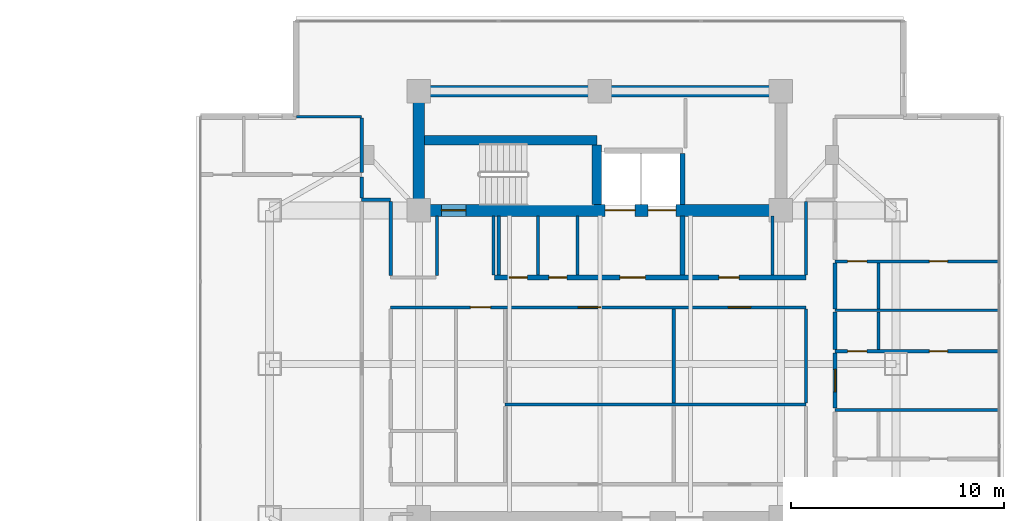
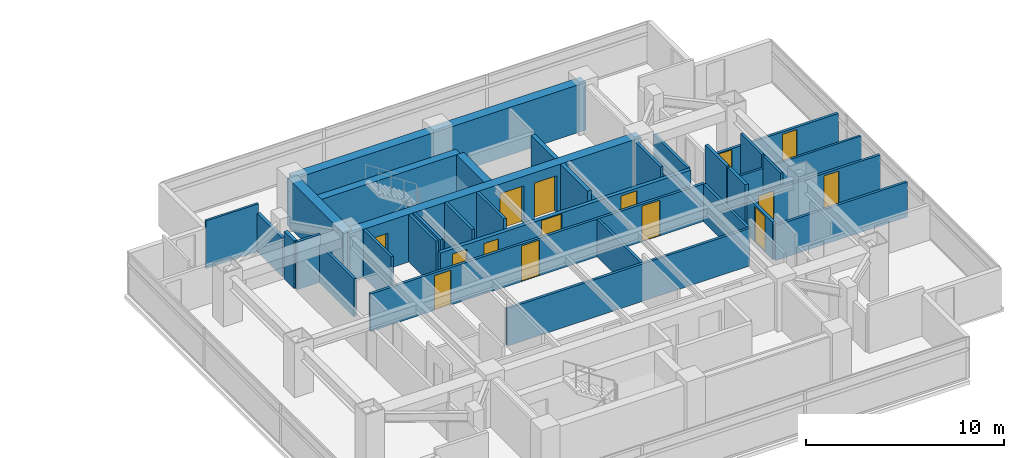
# One storey, part 18 of 24: 33 walls, 15 doors, 15 openings.
"""IFC4 building model written with IfcOpenShell, lengths in metres."""

from ifc_helpers import new_model, si_unit, direction, frame, frame_2d, origin, place, context, subcontext, project, spatial, rectangle, extrude, material, layer, layer_set, type_object, element, fill, save


model = new_model("IFC4")

# Units and contexts
model_context = context("Model", 3, precision=1e-05, world=origin(), true_north=direction((0.0, 1.0)))
body_context = subcontext(model_context, "Body", "Model", "MODEL_VIEW")
ifc_project = project(units=[si_unit("LENGTHUNIT", "METRE"), si_unit("AREAUNIT", "SQUARE_METRE"), si_unit("VOLUMEUNIT", "CUBIC_METRE"), si_unit("PLANEANGLEUNIT", "RADIAN"), si_unit("MASSUNIT", "GRAM", prefix="KILO")], contexts=[model_context])

# Site, building, storey
site_placement = place(None, origin())
site = spatial("IfcSite", under=ifc_project, at=site_placement, CompositionType="ELEMENT")
building_placement = place(site_placement, origin())
building = spatial("IfcBuilding", under=site, at=building_placement, Name="Mirazonda Arch Towers", CompositionType="ELEMENT")
storey_placement = place(building_placement, frame((0.0, 0.0, 144.5)))
storey = spatial("IfcBuildingStorey", under=building, at=storey_placement, Name="L41", CompositionType="ELEMENT", Elevation=144.5)

# Walls
ifc_material_1 = material(Name="Concrete C50/60", Category="concrete")
ifc_layer_1 = layer(ifc_material_1, 0.449951171875, Name="WALL-CORE-450")
ifc_layer_set_1 = layer_set([ifc_layer_1], Name="Concrete C50/60")
wall_type_1 = type_object("IfcWallType", Name="WALL-CORE-450", PredefinedType="SHEAR", material=ifc_layer_set_1)
wall_1_placement = place(storey_placement, frame((68.27001953125, 38.5, 0.0), z_axis=(0.0, 0.0, 1.0), x_axis=(1.0, 0.0, 0.0)))
element("IfcWall", 1, at=wall_1_placement, inside=storey, type_object=wall_type_1, Name="L41 Stair Core Shear Wall 055", PredefinedType="SHEAR", context=body_context, shape_type="SweptSolid", body=[
    extrude(rectangle(XDim=8.090087890625, YDim=0.449951171875, at=frame_2d((4.044921875, 0.0))), origin(), (0.0, 0.0, 1.0), 2.93994140625),
])
wall_2_placement = place(storey_placement, frame((76.360107421875, 35.469970703125, 0.0), z_axis=(0.0, 0.0, 1.0), x_axis=(0.0, 1.0, 0.0)))
element("IfcWall", 2, at=wall_2_placement, inside=storey, type_object=wall_type_1, Name="L41 Stair Core Shear Wall 142", PredefinedType="SHEAR", context=body_context, shape_type="SweptSolid", body=[
    extrude(rectangle(XDim=2.794921875, YDim=0.449951171875, at=frame_2d((1.3974609375, 0.0))), origin(), (0.0, 0.0, 1.0), 2.93994140625),
])
ifc_layer_2 = layer(ifc_material_1, 0.550048828125, Name="WALL-CORE-550")
ifc_layer_set_2 = layer_set([ifc_layer_2], Name="Concrete C50/60")
wall_type_2 = type_object("IfcWallType", Name="WALL-CORE-550", PredefinedType="SHEAR", material=ifc_layer_set_2)
wall_3_placement = place(storey_placement, frame((68.0, 40.800048828125, 0.0), z_axis=(0.0, 0.0, 1.0), x_axis=(1.0, 0.0, 0.0)))
element("IfcWall", 3, at=wall_3_placement, inside=storey, type_object=wall_type_2, Name="L41 T2N-N Core Shear Wall", PredefinedType="SHEAR", context=body_context, shape_type="SweptSolid", body=[
    extrude(rectangle(XDim=17.0, YDim=0.550048828125, at=frame_2d((8.5, 0.0))), origin(), (0.0, 0.0, 1.0), 2.93994140625),
])
wall_4_placement = place(storey_placement, frame((68.0, 35.199951171875, 0.0), z_axis=(0.0, 0.0, 1.0), x_axis=(0.0, 1.0, 0.0)))
element("IfcWall", 4, at=wall_4_placement, inside=storey, type_object=wall_type_2, Name="L41 T2N-W Core Shear Wall", PredefinedType="SHEAR", context=body_context, shape_type="SweptSolid", body=[
    extrude(rectangle(XDim=5.60009765625, YDim=0.550048828125, at=frame_2d((2.800048828125, 0.0))), origin(), (0.0, 0.0, 1.0), 2.93994140625),
])

# Wall, openings, doors
wall_5_placement = place(storey_placement, frame((68.0, 35.199951171875, 0.0), z_axis=(0.0, 0.0, 1.0), x_axis=(1.0, 0.0, 0.0)))
wall_5 = element("IfcWall", 5, at=wall_5_placement, inside=storey, type_object=wall_type_2, Name="L41 T2N-S Core Shear Wall", PredefinedType="SHEAR", context=body_context, shape_type="SweptSolid", body=[
    extrude(rectangle(XDim=17.0, YDim=0.550048828125, at=frame_2d((8.5, 0.0))), origin(), (0.0, 0.0, 1.0), 2.93994140625),
])
opening_1_placement = place(wall_5_placement, frame((1.06005859375, 0.0, 0.0)))
opening_1 = element("IfcOpeningElement", 6, at=opening_1_placement, cuts=wall_5, Name="Opening DR-135", PredefinedType="OPENING", context=body_context, shape_type="SweptSolid", body=[
    extrude(rectangle(XDim=1.14990234375, YDim=2.199951171875, at=frame_2d((0.574951171875, 1.10009765625))), frame((0.0, 0.284912109375, 0.0), z_axis=(0.0, -1.0, 0.0), x_axis=(1.0, 0.0, 0.0)), (0.0, 0.0, 1.0), 0.570068359375),
])
opening_2_placement = place(wall_5_placement, frame((8.75, 0.0, 0.0)))
opening_2 = element("IfcOpeningElement", 7, at=opening_2_placement, cuts=wall_5, Name="Opening LD-112", PredefinedType="OPENING", context=body_context, shape_type="SweptSolid", body=[
    extrude(rectangle(XDim=1.39990234375, YDim=2.35009765625, at=frame_2d((0.699951171875, 1.175048828125))), frame((0.0, 0.284912109375, 0.0), z_axis=(0.0, -1.0, 0.0), x_axis=(1.0, 0.0, 0.0)), (0.0, 0.0, 1.0), 0.570068359375),
])
opening_3_placement = place(wall_5_placement, frame((10.77001953125, 0.0, 0.0)))
opening_3 = element("IfcOpeningElement", 8, at=opening_3_placement, cuts=wall_5, Name="Opening LD-111", PredefinedType="OPENING", context=body_context, shape_type="SweptSolid", body=[
    extrude(rectangle(XDim=1.300048828125, YDim=2.300048828125, at=frame_2d((0.64990234375, 1.14990234375))), frame((0.0, 0.284912109375, 0.0), z_axis=(0.0, -1.0, 0.0), x_axis=(1.0, 0.0, 0.0)), (0.0, 0.0, 1.0), 0.570068359375),
])
ifc_material_2 = material(Name="Architectural Brushed Steel S355", Category="steel")
door_type_1 = type_object("IfcDoorType", Name="DOOR-LIFT-FFL-1400", OperationType="NOTDEFINED", PredefinedType="DOOR", material=ifc_material_2)
door_1_placement = place(opening_2_placement, origin())
door_1 = element("IfcDoor", 9, at=door_1_placement, inside=storey, type_object=door_type_1, Name="L41 Lift Landing Sliding Door FFL-T2", OperationType="DOUBLE_DOOR_SLIDING", OverallHeight=2.35009765625, OverallWidth=1.39990234375, PredefinedType="DOOR", context=body_context, shape_type="SweptSolid", body=[
    extrude(rectangle(XDim=1.39990234375, YDim=2.35009765625, at=frame_2d((0.699951171875, 1.175048828125))), frame((0.0, 0.02490234375, 0.0), z_axis=(0.0, -1.0, 0.0), x_axis=(1.0, 0.0, 0.0)), (0.0, 0.0, 1.0), 0.050048828125),
])
fill(opening_2, door_1)
door_type_2 = type_object("IfcDoorType", Name="DOOR-LIFT-LAND-1300", OperationType="NOTDEFINED", PredefinedType="DOOR", material=ifc_material_2)
door_2_placement = place(opening_3_placement, origin())
door_2 = element("IfcDoor", 10, at=door_2_placement, inside=storey, type_object=door_type_2, Name="L41 Lift Landing Sliding Door SVL-T2", OperationType="DOUBLE_DOOR_SLIDING", OverallHeight=2.300048828125, OverallWidth=1.300048828125, PredefinedType="DOOR", context=body_context, shape_type="SweptSolid", body=[
    extrude(rectangle(XDim=1.300048828125, YDim=2.300048828125, at=frame_2d((0.64990234375, 1.14990234375))), frame((0.0, 0.02490234375, 0.0), z_axis=(0.0, -1.0, 0.0), x_axis=(1.0, 0.0, 0.0)), (0.0, 0.0, 1.0), 0.050048828125),
])
fill(opening_3, door_2)
door_type_3 = type_object("IfcDoorType", Name="DOOR-STAIR-FD90-1150", OperationType="NOTDEFINED", PredefinedType="DOOR", material=ifc_material_2)
door_3_placement = place(opening_1_placement, origin())
door_3 = element("IfcDoor", 11, at=door_3_placement, inside=storey, type_object=door_type_3, Name="L41 East Protected Stair North Door", OperationType="SINGLE_SWING_LEFT", OverallHeight=2.199951171875, OverallWidth=1.14990234375, PredefinedType="DOOR", context=body_context, shape_type="SweptSolid", body=[
    extrude(rectangle(XDim=1.14990234375, YDim=2.199951171875, at=frame_2d((0.574951171875, 1.10009765625))), frame((0.0, 0.02490234375, 0.0), z_axis=(0.0, -1.0, 0.0), x_axis=(1.0, 0.0, 0.0)), (0.0, 0.0, 1.0), 0.050048828125),
])
fill(opening_1, door_3)

ifc_material_3 = material(Name="Concrete C40/50", Category="concrete")
ifc_layer_3 = layer(ifc_material_3, 0.219970703125, Name="WALL-FFL-220")
ifc_layer_set_3 = layer_set([ifc_layer_3], Name="Concrete C40/50")
wall_type_3 = type_object("IfcWallType", Name="WALL-FFL-220", PredefinedType="SOLIDWALL", material=ifc_layer_set_3)
wall_6_placement = place(storey_placement, frame((71.550048828125, 32.050048828125, 0.0), z_axis=(0.0, 0.0, 1.0), x_axis=(1.0, 0.0, 0.0)))
wall_6 = element("IfcWall", 12, at=wall_6_placement, inside=storey, type_object=wall_type_3, Name="L41 Interior Partition 043", PredefinedType="SOLIDWALL", context=body_context, shape_type="SweptSolid", body=[
    extrude(rectangle(XDim=14.6298828125, YDim=0.219970703125, at=frame_2d((7.31494140625, 0.0))), origin(), (0.0, 0.0, 1.0), 2.31591796875),
])
opening_4_placement = place(wall_6_placement, frame((5.889892578125, 0.0, 0.0)))
opening_4 = element("IfcOpeningElement", 13, at=opening_4_placement, cuts=wall_6, Name="Opening DR-117", PredefinedType="OPENING", context=body_context, shape_type="SweptSolid", body=[
    extrude(rectangle(XDim=1.199951171875, YDim=2.25, at=frame_2d((0.60009765625, 1.125))), frame((0.0, 0.119873046875, 0.0), z_axis=(0.0, -1.0, 0.0), x_axis=(1.0, 0.0, 0.0)), (0.0, 0.0, 1.0), 0.239990234375),
])
opening_5_placement = place(wall_6_placement, frame((10.534912109375, 0.0, 0.0)))
opening_5 = element("IfcOpeningElement", 14, at=opening_5_placement, cuts=wall_6, Name="Opening DR-104", PredefinedType="OPENING", context=body_context, shape_type="SweptSolid", body=[
    extrude(rectangle(XDim=0.949951171875, YDim=2.14990234375, at=frame_2d((0.47509765625, 1.074951171875))), frame((0.0, 0.119873046875, 0.0), z_axis=(0.0, -1.0, 0.0), x_axis=(1.0, 0.0, 0.0)), (0.0, 0.0, 1.0), 0.239990234375),
])
opening_6_placement = place(wall_6_placement, frame((0.699951171875, 0.0, 0.0)))
opening_6 = element("IfcOpeningElement", 15, at=opening_6_placement, cuts=wall_6, Name="Opening DR-128", PredefinedType="OPENING", context=body_context, shape_type="SweptSolid", body=[
    extrude(rectangle(XDim=0.85009765625, YDim=2.010009765625, at=frame_2d((0.425048828125, 1.0048828125))), frame((0.0, 0.119873046875, 0.0), z_axis=(0.0, -1.0, 0.0), x_axis=(1.0, 0.0, 0.0)), (0.0, 0.0, 1.0), 0.239990234375),
])
opening_7_placement = place(wall_6_placement, frame((2.550048828125, 0.0, 0.0)))
opening_7 = element("IfcOpeningElement", 16, at=opening_7_placement, cuts=wall_6, Name="Opening DR-128", PredefinedType="OPENING", context=body_context, shape_type="SweptSolid", body=[
    extrude(rectangle(XDim=0.85009765625, YDim=2.010009765625, at=frame_2d((0.425048828125, 1.0048828125))), frame((0.0, 0.119873046875, 0.0), z_axis=(0.0, -1.0, 0.0), x_axis=(1.0, 0.0, 0.0)), (0.0, 0.0, 1.0), 0.239990234375),
])
door_type_4 = type_object("IfcDoorType", Name="DOOR-FFL-FD90-1200", OperationType="NOTDEFINED", PredefinedType="DOOR", material=ifc_material_2)
door_4_placement = place(opening_4_placement, origin())
door_4 = element("IfcDoor", 17, at=door_4_placement, inside=storey, type_object=door_type_4, Name="L41 East Firefighting Lift Lobby Door", OperationType="SINGLE_SWING_RIGHT", OverallHeight=2.25, OverallWidth=1.199951171875, PredefinedType="DOOR", context=body_context, shape_type="SweptSolid", body=[
    extrude(rectangle(XDim=1.199951171875, YDim=2.25, at=frame_2d((0.60009765625, 1.125))), frame((0.0, 0.02490234375, 0.0), z_axis=(0.0, -1.0, 0.0), x_axis=(1.0, 0.0, 0.0)), (0.0, 0.0, 1.0), 0.050048828125),
])
fill(opening_4, door_4)
door_type_5 = type_object("IfcDoorType", Name="DOOR-RISER-FD60-850", OperationType="NOTDEFINED", PredefinedType="DOOR", material=ifc_material_2)
door_5_placement = place(opening_6_placement, origin())
door_5 = element("IfcDoor", 18, at=door_5_placement, inside=storey, type_object=door_type_5, Name="L41 Tower 2 Electrical Room Door", OperationType="SINGLE_SWING_RIGHT", OverallHeight=2.010009765625, OverallWidth=0.85009765625, PredefinedType="DOOR", context=body_context, shape_type="SweptSolid", body=[
    extrude(rectangle(XDim=0.85009765625, YDim=2.010009765625, at=frame_2d((0.425048828125, 1.0048828125))), frame((0.0, 0.02490234375, 0.0), z_axis=(0.0, -1.0, 0.0), x_axis=(1.0, 0.0, 0.0)), (0.0, 0.0, 1.0), 0.050048828125),
])
fill(opening_6, door_5)
door_6_placement = place(opening_7_placement, origin())
door_6 = element("IfcDoor", 19, at=door_6_placement, inside=storey, type_object=door_type_5, Name="L41 Tower 2 Cleaners Store Door", OperationType="SINGLE_SWING_LEFT", OverallHeight=2.010009765625, OverallWidth=0.85009765625, PredefinedType="DOOR", context=body_context, shape_type="SweptSolid", body=[
    extrude(rectangle(XDim=0.85009765625, YDim=2.010009765625, at=frame_2d((0.425048828125, 1.0048828125))), frame((0.0, 0.02490234375, 0.0), z_axis=(0.0, -1.0, 0.0), x_axis=(1.0, 0.0, 0.0)), (0.0, 0.0, 1.0), 0.050048828125),
])
fill(opening_7, door_6)
door_type_6 = type_object("IfcDoorType", Name="DOOR-ROOM-950", OperationType="NOTDEFINED", PredefinedType="DOOR", material=ifc_material_2)
door_7_placement = place(opening_5_placement, origin())
door_7 = element("IfcDoor", 20, at=door_7_placement, inside=storey, type_object=door_type_6, Name="L41 East Sky Reading Library Door", OperationType="SINGLE_SWING_LEFT", OverallHeight=2.14990234375, OverallWidth=0.949951171875, PredefinedType="DOOR", context=body_context, shape_type="SweptSolid", body=[
    extrude(rectangle(XDim=0.949951171875, YDim=2.14990234375, at=frame_2d((0.47509765625, 1.074951171875))), frame((0.0, 0.02490234375, 0.0), z_axis=(0.0, -1.0, 0.0), x_axis=(1.0, 0.0, 0.0)), (0.0, 0.0, 1.0), 0.050048828125),
])
fill(opening_5, door_7)

# Walls
wall_7_placement = place(storey_placement, frame((80.3798828125, 32.169921875, 0.0), z_axis=(0.0, 0.0, 1.0), x_axis=(0.0, 1.0, 0.0)))
element("IfcWall", 21, at=wall_7_placement, inside=storey, type_object=wall_type_3, Name="L41 Interior Partition 146", PredefinedType="SOLIDWALL", context=body_context, shape_type="SweptSolid", body=[
    extrude(rectangle(XDim=2.760009765625, YDim=0.219970703125, at=frame_2d((1.3798828125, 0.0))), origin(), (0.0, 0.0, 1.0), 2.93994140625),
])
ifc_material_4 = material(Name="Fire-Rated Gypsum Stud Partition")
ifc_layer_4 = layer(ifc_material_4, 0.14990234375, Name="WALL-PART-CORR-150")
ifc_layer_set_4 = layer_set([ifc_layer_4], Name="Fire-Rated Gypsum Stud Partition")
wall_type_4 = type_object("IfcWallType", Name="WALL-PART-CORR-150", PredefinedType="PARTITIONING", material=ifc_layer_set_4)
wall_8_placement = place(storey_placement, frame((87.5400390625, 25.833984375, 0.0), z_axis=(0.0, 0.0, 1.0), x_axis=(1.0, 0.0, 0.0)))
element("IfcWall", 22, at=wall_8_placement, inside=storey, type_object=wall_type_4, Name="L41 Interior Partition 031", PredefinedType="PARTITIONING", context=body_context, shape_type="SweptSolid", body=[
    extrude(rectangle(XDim=7.708984375, YDim=0.14990234375, at=frame_2d((3.8544921875, 0.0))), origin(), (0.0, 0.0, 1.0), 2.158935546875),
])
wall_9_placement = place(storey_placement, frame((72.050048828125, 26.0849609375, 0.0), z_axis=(0.0, 0.0, 1.0), x_axis=(1.0, 0.0, 0.0)))
element("IfcWall", 23, at=wall_9_placement, inside=storey, type_object=wall_type_4, Name="L41 Interior Partition 032", PredefinedType="PARTITIONING", context=body_context, shape_type="SweptSolid", body=[
    extrude(rectangle(XDim=14.1298828125, YDim=0.14990234375, at=frame_2d((7.06494140625, 0.0))), origin(), (0.0, 0.0, 1.0), 2.31591796875),
])

# Wall, openings, doors
wall_10_placement = place(storey_placement, frame((87.5400390625, 28.587890625, 0.0), z_axis=(0.0, 0.0, 1.0), x_axis=(1.0, 0.0, 0.0)))
wall_10 = element("IfcWall", 24, at=wall_10_placement, inside=storey, type_object=wall_type_4, Name="L41 Interior Partition 037", PredefinedType="PARTITIONING", context=body_context, shape_type="SweptSolid", body=[
    extrude(rectangle(XDim=7.708984375, YDim=0.14990234375, at=frame_2d((3.8544921875, 0.0))), origin(), (0.0, 0.0, 1.0), 2.158935546875),
])
opening_8_placement = place(wall_10_placement, frame((4.429443359375, 0.0, 0.0)))
opening_8 = element("IfcOpeningElement", 25, at=opening_8_placement, cuts=wall_10, Name="Opening DR-128", PredefinedType="OPENING", context=body_context, shape_type="SweptSolid", body=[
    extrude(rectangle(XDim=0.85009765625, YDim=2.010009765625, at=frame_2d((0.425048828125, 1.0048828125))), frame((0.0, 0.0849609375, 0.0), z_axis=(0.0, -1.0, 0.0), x_axis=(1.0, 0.0, 0.0)), (0.0, 0.0, 1.0), 0.169921875),
])
opening_9_placement = place(wall_10_placement, frame((0.590087890625, 0.0, 0.0)))
opening_9 = element("IfcOpeningElement", 26, at=opening_9_placement, cuts=wall_10, Name="Opening DR-120", PredefinedType="OPENING", context=body_context, shape_type="SweptSolid", body=[
    extrude(rectangle(XDim=0.89990234375, YDim=2.10009765625, at=frame_2d((0.449951171875, 1.050048828125))), frame((0.0, 0.0849609375, 0.0), z_axis=(0.0, -1.0, 0.0), x_axis=(1.0, 0.0, 0.0)), (0.0, 0.0, 1.0), 0.169921875),
])
door_8_placement = place(opening_8_placement, origin())
door_8 = element("IfcDoor", 27, at=door_8_placement, inside=storey, type_object=door_type_5, Name="L41 Guestroom Study 2 Door", OperationType="SINGLE_SWING_LEFT", OverallHeight=2.010009765625, OverallWidth=0.85009765625, PredefinedType="DOOR", context=body_context, shape_type="SweptSolid", body=[
    extrude(rectangle(XDim=0.85009765625, YDim=2.010009765625, at=frame_2d((0.425048828125, 1.0048828125))), frame((0.0, 0.02490234375, 0.0), z_axis=(0.0, -1.0, 0.0), x_axis=(1.0, 0.0, 0.0)), (0.0, 0.0, 1.0), 0.050048828125),
])
fill(opening_8, door_8)
door_type_7 = type_object("IfcDoorType", Name="DOOR-WC-900", OperationType="NOTDEFINED", PredefinedType="DOOR", material=ifc_material_2)
door_9_placement = place(opening_9_placement, origin())
door_9 = element("IfcDoor", 28, at=door_9_placement, inside=storey, type_object=door_type_7, Name="L41 En-Suite Bathroom 2 Door", OperationType="SINGLE_SWING_RIGHT", OverallHeight=2.10009765625, OverallWidth=0.89990234375, PredefinedType="DOOR", context=body_context, shape_type="SweptSolid", body=[
    extrude(rectangle(XDim=0.89990234375, YDim=2.10009765625, at=frame_2d((0.449951171875, 1.050048828125))), frame((0.0, 0.02490234375, 0.0), z_axis=(0.0, -1.0, 0.0), x_axis=(1.0, 0.0, 0.0)), (0.0, 0.0, 1.0), 0.050048828125),
])
fill(opening_9, door_9)

wall_11_placement = place(storey_placement, frame((66.679931640625, 30.64990234375, 0.0), z_axis=(0.0, 0.0, 1.0), x_axis=(1.0, 0.0, 0.0)))
wall_11 = element("IfcWall", 29, at=wall_11_placement, inside=storey, type_object=wall_type_4, Name="L41 Interior Partition 039", PredefinedType="PARTITIONING", context=body_context, shape_type="SweptSolid", body=[
    extrude(rectangle(XDim=19.5, YDim=0.14990234375, at=frame_2d((9.75, 0.0))), origin(), (0.0, 0.0, 1.0), 2.31591796875),
])
opening_10_placement = place(wall_11_placement, frame((3.7451171875, 0.0, 0.0)))
opening_10 = element("IfcOpeningElement", 30, at=opening_10_placement, cuts=wall_11, Name="Opening DR-104", PredefinedType="OPENING", context=body_context, shape_type="SweptSolid", body=[
    extrude(rectangle(XDim=0.949951171875, YDim=2.14990234375, at=frame_2d((0.47509765625, 1.074951171875))), frame((0.0, 0.0849609375, 0.0), z_axis=(0.0, -1.0, 0.0), x_axis=(1.0, 0.0, 0.0)), (0.0, 0.0, 1.0), 0.169921875),
])
opening_11_placement = place(wall_11_placement, frame((8.801513671875, 0.0, 0.0)))
opening_11 = element("IfcOpeningElement", 31, at=opening_11_placement, cuts=wall_11, Name="Opening DR-121", PredefinedType="OPENING", context=body_context, shape_type="SweptSolid", body=[
    extrude(rectangle(XDim=1.050048828125, YDim=2.199951171875, at=frame_2d((0.52490234375, 1.10009765625))), frame((0.0, 0.0849609375, 0.0), z_axis=(0.0, -1.0, 0.0), x_axis=(1.0, 0.0, 0.0)), (0.0, 0.0, 1.0), 0.169921875),
])
opening_12_placement = place(wall_11_placement, frame((15.846435546875, 0.0, 0.0)))
opening_12 = element("IfcOpeningElement", 32, at=opening_12_placement, cuts=wall_11, Name="Opening DR-121", PredefinedType="OPENING", context=body_context, shape_type="SweptSolid", body=[
    extrude(rectangle(XDim=1.050048828125, YDim=2.199951171875, at=frame_2d((0.52490234375, 1.10009765625))), frame((0.0, 0.0849609375, 0.0), z_axis=(0.0, -1.0, 0.0), x_axis=(1.0, 0.0, 0.0)), (0.0, 0.0, 1.0), 0.169921875),
])
door_10_placement = place(opening_10_placement, origin())
door_10 = element("IfcDoor", 33, at=door_10_placement, inside=storey, type_object=door_type_6, Name="L41 L41 East Courtyard Study Door", OperationType="SINGLE_SWING_LEFT", OverallHeight=2.14990234375, OverallWidth=0.949951171875, PredefinedType="DOOR", context=body_context, shape_type="SweptSolid", body=[
    extrude(rectangle(XDim=0.949951171875, YDim=2.14990234375, at=frame_2d((0.47509765625, 1.074951171875))), frame((0.0, 0.02490234375, 0.0), z_axis=(0.0, -1.0, 0.0), x_axis=(1.0, 0.0, 0.0)), (0.0, 0.0, 1.0), 0.050048828125),
])
fill(opening_10, door_10)
door_type_8 = type_object("IfcDoorType", Name="DOOR-SUITE-FD60-1050", OperationType="NOTDEFINED", PredefinedType="DOOR", material=ifc_material_2)
door_11_placement = place(opening_11_placement, origin())
door_11 = element("IfcDoor", 34, at=door_11_placement, inside=storey, type_object=door_type_8, Name="L41 Concierge Salon Door", OperationType="SINGLE_SWING_RIGHT", OverallHeight=2.199951171875, OverallWidth=1.050048828125, PredefinedType="DOOR", context=body_context, shape_type="SweptSolid", body=[
    extrude(rectangle(XDim=1.050048828125, YDim=2.199951171875, at=frame_2d((0.52490234375, 1.10009765625))), frame((0.0, 0.02490234375, 0.0), z_axis=(0.0, -1.0, 0.0), x_axis=(1.0, 0.0, 0.0)), (0.0, 0.0, 1.0), 0.050048828125),
])
fill(opening_11, door_11)
door_12_placement = place(opening_12_placement, origin())
door_12 = element("IfcDoor", 35, at=door_12_placement, inside=storey, type_object=door_type_8, Name="L41 Private Meeting Suite Door", OperationType="SINGLE_SWING_LEFT", OverallHeight=2.199951171875, OverallWidth=1.050048828125, PredefinedType="DOOR", context=body_context, shape_type="SweptSolid", body=[
    extrude(rectangle(XDim=1.050048828125, YDim=2.199951171875, at=frame_2d((0.52490234375, 1.10009765625))), frame((0.0, 0.02490234375, 0.0), z_axis=(0.0, -1.0, 0.0), x_axis=(1.0, 0.0, 0.0)), (0.0, 0.0, 1.0), 0.050048828125),
])
fill(opening_12, door_12)

wall_12_placement = place(storey_placement, frame((87.5400390625, 32.80810546875, 0.0), z_axis=(0.0, 0.0, 1.0), x_axis=(1.0, 0.0, 0.0)))
wall_12 = element("IfcWall", 36, at=wall_12_placement, inside=storey, type_object=wall_type_4, Name="L41 Interior Partition 044", PredefinedType="PARTITIONING", context=body_context, shape_type="SweptSolid", body=[
    extrude(rectangle(XDim=7.708984375, YDim=0.14990234375, at=frame_2d((3.8544921875, 0.0))), origin(), (0.0, 0.0, 1.0), 2.158935546875),
])
opening_13_placement = place(wall_12_placement, frame((4.429443359375, 0.0, 0.0)))
opening_13 = element("IfcOpeningElement", 37, at=opening_13_placement, cuts=wall_12, Name="Opening DR-128", PredefinedType="OPENING", context=body_context, shape_type="SweptSolid", body=[
    extrude(rectangle(XDim=0.85009765625, YDim=2.010009765625, at=frame_2d((0.425048828125, 1.0048828125))), frame((0.0, 0.0849609375, 0.0), z_axis=(0.0, -1.0, 0.0), x_axis=(1.0, 0.0, 0.0)), (0.0, 0.0, 1.0), 0.169921875),
])
opening_14_placement = place(wall_12_placement, frame((0.590087890625, 0.0, 0.0)))
opening_14 = element("IfcOpeningElement", 38, at=opening_14_placement, cuts=wall_12, Name="Opening DR-120", PredefinedType="OPENING", context=body_context, shape_type="SweptSolid", body=[
    extrude(rectangle(XDim=0.89990234375, YDim=2.10009765625, at=frame_2d((0.449951171875, 1.050048828125))), frame((0.0, 0.0849609375, 0.0), z_axis=(0.0, -1.0, 0.0), x_axis=(1.0, 0.0, 0.0)), (0.0, 0.0, 1.0), 0.169921875),
])
door_13_placement = place(opening_13_placement, origin())
door_13 = element("IfcDoor", 39, at=door_13_placement, inside=storey, type_object=door_type_5, Name="L41 Guestroom Study 3 Door", OperationType="SINGLE_SWING_RIGHT", OverallHeight=2.010009765625, OverallWidth=0.85009765625, PredefinedType="DOOR", context=body_context, shape_type="SweptSolid", body=[
    extrude(rectangle(XDim=0.85009765625, YDim=2.010009765625, at=frame_2d((0.425048828125, 1.0048828125))), frame((0.0, 0.02490234375, 0.0), z_axis=(0.0, -1.0, 0.0), x_axis=(1.0, 0.0, 0.0)), (0.0, 0.0, 1.0), 0.050048828125),
])
fill(opening_13, door_13)
door_14_placement = place(opening_14_placement, origin())
door_14 = element("IfcDoor", 40, at=door_14_placement, inside=storey, type_object=door_type_7, Name="L41 En-Suite Bathroom 3 Door", OperationType="SINGLE_SWING_LEFT", OverallHeight=2.10009765625, OverallWidth=0.89990234375, PredefinedType="DOOR", context=body_context, shape_type="SweptSolid", body=[
    extrude(rectangle(XDim=0.89990234375, YDim=2.10009765625, at=frame_2d((0.449951171875, 1.050048828125))), frame((0.0, 0.02490234375, 0.0), z_axis=(0.0, -1.0, 0.0), x_axis=(1.0, 0.0, 0.0)), (0.0, 0.0, 1.0), 0.050048828125),
])
fill(opening_14, door_14)

# Walls
wall_13_placement = place(storey_placement, frame((65.320068359375, 35.699951171875, 0.0), z_axis=(0.0, 0.0, 1.0), x_axis=(1.0, 0.0, 0.0)))
element("IfcWall", 41, at=wall_13_placement, inside=storey, type_object=wall_type_4, Name="L41 Interior Partition 050", PredefinedType="PARTITIONING", context=body_context, shape_type="SweptSolid", body=[
    extrude(rectangle(XDim=1.35986328125, YDim=0.14990234375, at=frame_2d((0.679931640625, 0.0))), origin(), (0.0, 0.0, 1.0), 2.93994140625),
])
wall_14_placement = place(storey_placement, frame((66.679931640625, 32.135009765625, 0.0), z_axis=(0.0, 0.0, 1.0), x_axis=(0.0, 1.0, 0.0)))
element("IfcWall", 42, at=wall_14_placement, inside=storey, type_object=wall_type_4, Name="L41 Interior Partition 131", PredefinedType="PARTITIONING", context=body_context, shape_type="SweptSolid", body=[
    extrude(rectangle(XDim=3.47998046875, YDim=0.14990234375, at=frame_2d((1.739990234375, 0.0))), origin(), (0.0, 0.0, 1.0), 2.33203125),
])
wall_15_placement = place(storey_placement, frame((68.85009765625, 32.135009765625, 0.0), z_axis=(0.0, 0.0, 1.0), x_axis=(0.0, 1.0, 0.0)))
element("IfcWall", 43, at=wall_15_placement, inside=storey, type_object=wall_type_4, Name="L41 Interior Partition 132", PredefinedType="PARTITIONING", context=body_context, shape_type="SweptSolid", body=[
    extrude(rectangle(XDim=2.794921875, YDim=0.14990234375, at=frame_2d((1.3974609375, 0.0))), origin(), (0.0, 0.0, 1.0), 2.93994140625),
])
for number, where, z_axis, x_axis, name in (
    (44, (71.5, 32.169921875, 0.0), (0.0, 0.0, 1.0), (0.0, 1.0, 0.0), "L41 Interior Partition 135"),
    (45, (71.75, 32.169921875, 0.0), (0.0, 0.0, 1.0), (0.0, 1.0, 0.0), "L41 Interior Partition 136"),
    (46, (73.60009765625, 32.169921875, 0.0), (0.0, 0.0, 1.0), (0.0, 1.0, 0.0), "L41 Interior Partition 139"),
    (47, (75.449951171875, 32.169921875, 0.0), (0.0, 0.0, 1.0), (0.0, 1.0, 0.0), "L41 Interior Partition 140"),
):
    element("IfcWall", number, at=place(storey_placement, frame(where, z_axis=z_axis, x_axis=x_axis)), inside=storey, type_object=wall_type_4, Name=name, PredefinedType="PARTITIONING", context=body_context, shape_type="SweptSolid", body=[
        extrude(rectangle(XDim=2.760009765625, YDim=0.14990234375, at=frame_2d((1.3798828125, 0.0))), origin(), (0.0, 0.0, 1.0), 2.93994140625),
    ])
wall_16_placement = place(storey_placement, frame((79.962890625, 26.169921875, 0.0), z_axis=(0.0, 0.0, 1.0), x_axis=(0.0, 1.0, 0.0)))
element("IfcWall", 48, at=wall_16_placement, inside=storey, type_object=wall_type_4, Name="L41 Interior Partition 145", PredefinedType="PARTITIONING", context=body_context, shape_type="SweptSolid", body=[
    extrude(rectangle(XDim=4.39501953125, YDim=0.14990234375, at=frame_2d((2.197509765625, 0.0))), origin(), (0.0, 0.0, 1.0), 2.31591796875),
])
wall_17_placement = place(storey_placement, frame((84.60009765625, 32.169921875, 0.0), z_axis=(0.0, 0.0, 1.0), x_axis=(0.0, 1.0, 0.0)))
element("IfcWall", 49, at=wall_17_placement, inside=storey, type_object=wall_type_4, Name="L41 Interior Partition 150", PredefinedType="PARTITIONING", context=body_context, shape_type="SweptSolid", body=[
    extrude(rectangle(XDim=2.760009765625, YDim=0.14990234375, at=frame_2d((1.3798828125, 0.0))), origin(), (0.0, 0.0, 1.0), 2.93994140625),
])
wall_18_placement = place(storey_placement, frame((86.179931640625, 26.169921875, 0.0), z_axis=(0.0, 0.0, 1.0), x_axis=(0.0, 1.0, 0.0)))
element("IfcWall", 50, at=wall_18_placement, inside=storey, type_object=wall_type_4, Name="L41 Interior Partition 153", PredefinedType="PARTITIONING", context=body_context, shape_type="SweptSolid", body=[
    extrude(rectangle(XDim=4.39501953125, YDim=0.14990234375, at=frame_2d((2.197509765625, 0.0))), origin(), (0.0, 0.0, 1.0), 2.31591796875),
])
wall_19_placement = place(storey_placement, frame((86.179931640625, 32.169921875, 0.0), z_axis=(0.0, 0.0, 1.0), x_axis=(0.0, 1.0, 0.0)))
element("IfcWall", 51, at=wall_19_placement, inside=storey, type_object=wall_type_4, Name="L41 Interior Partition 154", PredefinedType="PARTITIONING", context=body_context, shape_type="SweptSolid", body=[
    extrude(rectangle(XDim=3.445068359375, YDim=0.14990234375, at=frame_2d((1.72265625, 0.0))), origin(), (0.0, 0.0, 1.0), 2.33203125),
])
ifc_material_5 = material(Name="Fire-Rated Gypsum Twin-Stud Assembly")
ifc_layer_5 = layer(ifc_material_5, 0.179931640625, Name="WALL-PART-DEMISE-180")
ifc_layer_set_5 = layer_set([ifc_layer_5], Name="Fire-Rated Gypsum Twin-Stud Assembly")
wall_type_5 = type_object("IfcWallType", Name="WALL-PART-DEMISE-180", PredefinedType="PARTITIONING", material=ifc_layer_set_5)
wall_20_placement = place(storey_placement, frame((65.320068359375, 35.784912109375, 0.0), z_axis=(0.0, 0.0, 1.0), x_axis=(0.0, 1.0, 0.0)))
element("IfcWall", 52, at=wall_20_placement, inside=storey, type_object=wall_type_5, Name="L41 Interior Partition 126", PredefinedType="PARTITIONING", context=body_context, shape_type="SweptSolid", body=[
    extrude(rectangle(XDim=0.994140625, YDim=0.179931640625, at=frame_2d((0.4970703125, 0.0))), origin(), (0.0, 0.0, 1.0), 2.93994140625),
])
wall_21_placement = place(storey_placement, frame((65.320068359375, 36.97900390625, 0.0), z_axis=(0.0, 0.0, 1.0), x_axis=(0.0, 1.0, 0.0)))
element("IfcWall", 53, at=wall_21_placement, inside=storey, type_object=wall_type_5, Name="L41 Interior Partition 127", PredefinedType="PARTITIONING", context=body_context, shape_type="SweptSolid", body=[
    extrude(rectangle(XDim=2.547607421875, YDim=0.179931640625, at=frame_2d((1.27392578125, 0.0))), origin(), (0.0, 0.0, 1.0), 2.383056640625),
])

# Wall, opening, door
wall_22_placement = place(storey_placement, frame((87.5400390625, 25.9189453125, 0.0), z_axis=(0.0, 0.0, 1.0), x_axis=(0.0, 1.0, 0.0)))
wall_22 = element("IfcWall", 54, at=wall_22_placement, inside=storey, type_object=wall_type_5, Name="L41 Interior Partition 158", PredefinedType="PARTITIONING", context=body_context, shape_type="SweptSolid", body=[
    extrude(rectangle(XDim=2.583984375, YDim=0.179931640625, at=frame_2d((1.2919921875, 0.0))), origin(), (0.0, 0.0, 1.0), 2.31591796875),
])
opening_15_placement = place(wall_22_placement, frame((0.76708984375, 0.0, 0.0)))
opening_15 = element("IfcOpeningElement", 55, at=opening_15_placement, cuts=wall_22, Name="Opening DR-121", PredefinedType="OPENING", context=body_context, shape_type="SweptSolid", body=[
    extrude(rectangle(XDim=1.050048828125, YDim=2.199951171875, at=frame_2d((0.52490234375, 1.10009765625))), frame((0.0, 0.099853515625, 0.0), z_axis=(0.0, -1.0, 0.0), x_axis=(1.0, 0.0, 0.0)), (0.0, 0.0, 1.0), 0.199951171875),
])
door_15_placement = place(opening_15_placement, origin())
door_15 = element("IfcDoor", 56, at=door_15_placement, inside=storey, type_object=door_type_8, Name="L41 Twin Hotel Guestroom 2 Door", OperationType="SINGLE_SWING_RIGHT", OverallHeight=2.199951171875, OverallWidth=1.050048828125, PredefinedType="DOOR", context=body_context, shape_type="SweptSolid", body=[
    extrude(rectangle(XDim=1.050048828125, YDim=2.199951171875, at=frame_2d((0.52490234375, 1.10009765625))), frame((0.0, 0.02490234375, 0.0), z_axis=(0.0, -1.0, 0.0), x_axis=(1.0, 0.0, 0.0)), (0.0, 0.0, 1.0), 0.050048828125),
])
fill(opening_15, door_15)

# Walls
wall_23_placement = place(storey_placement, frame((87.5400390625, 28.673095703125, 0.0), z_axis=(0.0, 0.0, 1.0), x_axis=(0.0, 1.0, 0.0)))
element("IfcWall", 57, at=wall_23_placement, inside=storey, type_object=wall_type_5, Name="L41 Interior Partition 159", PredefinedType="PARTITIONING", context=body_context, shape_type="SweptSolid", body=[
    extrude(rectangle(XDim=1.762451171875, YDim=0.179931640625, at=frame_2d((0.88134765625, 0.0))), origin(), (0.0, 0.0, 1.0), 2.93994140625),
])
wall_24_placement = place(storey_placement, frame((87.5400390625, 30.58056640625, 0.0), z_axis=(0.0, 0.0, 1.0), x_axis=(0.0, 1.0, 0.0)))
element("IfcWall", 58, at=wall_24_placement, inside=storey, type_object=wall_type_5, Name="L41 Interior Partition 160", PredefinedType="PARTITIONING", context=body_context, shape_type="SweptSolid", body=[
    extrude(rectangle(XDim=2.142333984375, YDim=0.179931640625, at=frame_2d((1.0712890625, 0.0))), origin(), (0.0, 0.0, 1.0), 2.93994140625),
])
ifc_material_6 = material(Name="Acoustic Fire-Rated Gypsum Partition")
ifc_layer_6 = layer(ifc_material_6, 0.125, Name="WALL-PART-UNIT-125")
ifc_layer_set_6 = layer_set([ifc_layer_6], Name="Acoustic Fire-Rated Gypsum Partition")
wall_type_6 = type_object("IfcWallType", Name="WALL-PART-UNIT-125", PredefinedType="PARTITIONING", material=ifc_layer_set_6)
wall_25_placement = place(storey_placement, frame((87.5400390625, 30.508056640625, 0.0), z_axis=(0.0, 0.0, 1.0), x_axis=(1.0, 0.0, 0.0)))
element("IfcWall", 59, at=wall_25_placement, inside=storey, type_object=wall_type_6, Name="L41 Interior Partition 040", PredefinedType="PARTITIONING", context=body_context, shape_type="SweptSolid", body=[
    extrude(rectangle(XDim=7.708984375, YDim=0.125, at=frame_2d((3.8544921875, 0.0))), origin(), (0.0, 0.0, 1.0), 2.158935546875),
])
wall_26_placement = place(storey_placement, frame((62.257568359375, 39.59912109375, 0.0), z_axis=(0.0, 0.0, 1.0), x_axis=(1.0, 0.0, 0.0)))
element("IfcWall", 60, at=wall_26_placement, inside=storey, type_object=wall_type_6, Name="L41 Interior Partition 056", PredefinedType="PARTITIONING", context=body_context, shape_type="SweptSolid", body=[
    extrude(rectangle(XDim=3.0625, YDim=0.125, at=frame_2d((1.53125, 0.0))), origin(), (0.0, 0.0, 1.0), 2.93994140625),
])
wall_27_placement = place(storey_placement, frame((89.580078125, 28.673095703125, 0.0), z_axis=(0.0, 0.0, 1.0), x_axis=(0.0, 1.0, 0.0)))
element("IfcWall", 61, at=wall_27_placement, inside=storey, type_object=wall_type_6, Name="L41 Interior Partition 164", PredefinedType="PARTITIONING", context=body_context, shape_type="SweptSolid", body=[
    extrude(rectangle(XDim=1.762451171875, YDim=0.125, at=frame_2d((0.88134765625, 0.0))), origin(), (0.0, 0.0, 1.0), 2.93994140625),
])
wall_28_placement = place(storey_placement, frame((89.580078125, 30.58056640625, 0.0), z_axis=(0.0, 0.0, 1.0), x_axis=(0.0, 1.0, 0.0)))
element("IfcWall", 62, at=wall_28_placement, inside=storey, type_object=wall_type_6, Name="L41 Interior Partition 165", PredefinedType="PARTITIONING", context=body_context, shape_type="SweptSolid", body=[
    extrude(rectangle(XDim=2.142333984375, YDim=0.125, at=frame_2d((1.0712890625, 0.0))), origin(), (0.0, 0.0, 1.0), 2.93994140625),
])
ifc_layer_7 = layer(ifc_material_3, 0.25, Name="WALL-SHAFT-250")
ifc_layer_set_7 = layer_set([ifc_layer_7], Name="Concrete C40/50")
wall_type_7 = type_object("IfcWallType", Name="WALL-SHAFT-250", PredefinedType="SOLIDWALL", material=ifc_layer_set_7)
wall_29_placement = place(storey_placement, frame((80.3798828125, 35.469970703125, 0.0), z_axis=(0.0, 0.0, 1.0), x_axis=(0.0, 1.0, 0.0)))
element("IfcWall", 63, at=wall_29_placement, inside=storey, type_object=wall_type_7, Name="L41 Interior Partition 147", PredefinedType="SOLIDWALL", context=body_context, shape_type="SweptSolid", body=[
    extrude(rectangle(XDim=2.39501953125, YDim=0.25, at=frame_2d((1.197509765625, 0.0))), origin(), (0.0, 0.0, 1.0), 2.93994140625),
])

save(model, "model.ifc")
